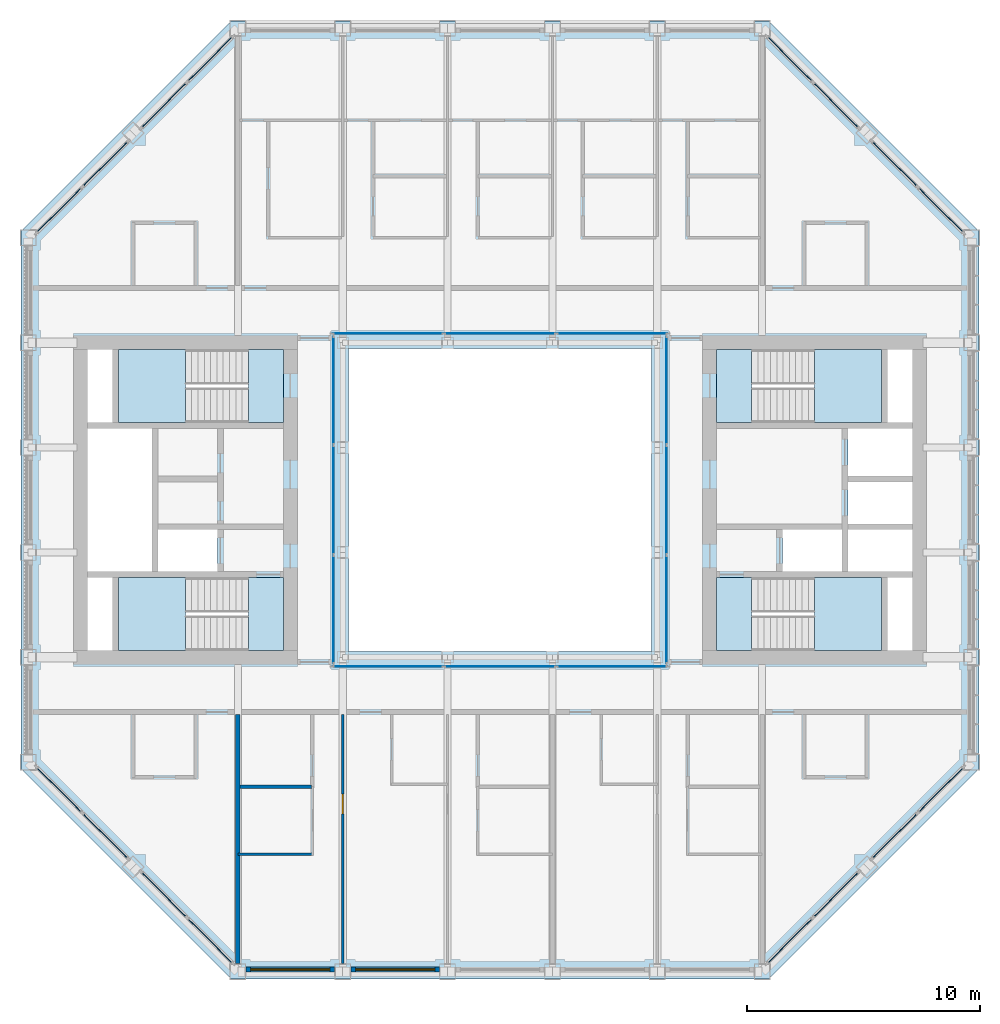
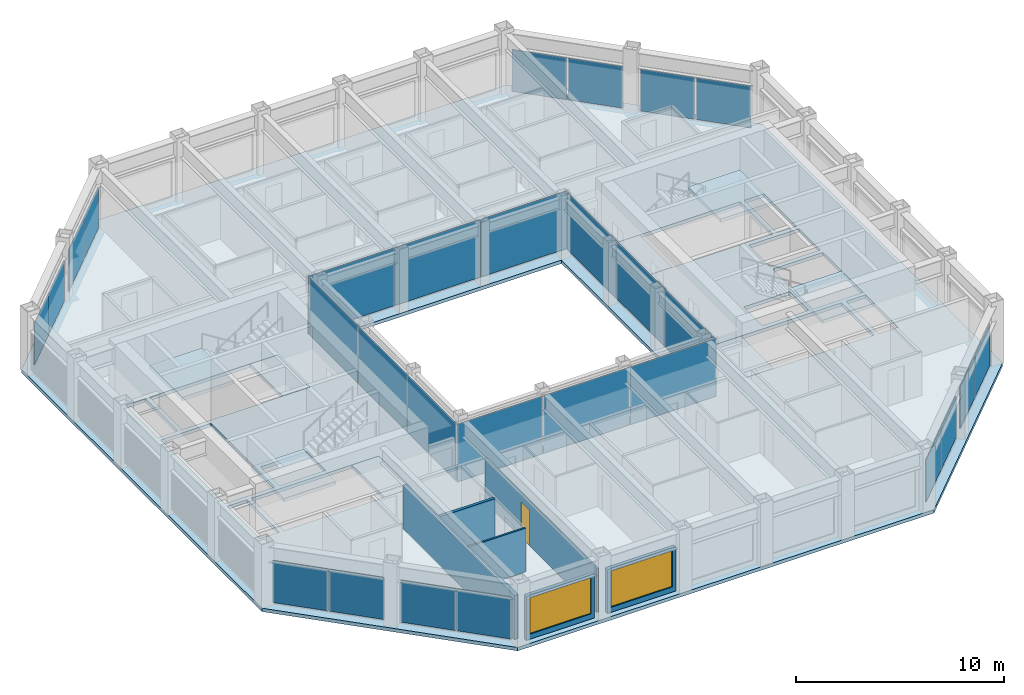
# One storey, part 8 of 17: 28 plates, 9 slabs, 6 walls, 2 windows, 1 door, 3 openings, 16 elements without a shape of their own.
"""IFC4 building model written with IfcOpenShell, lengths in metres."""

from ifc_helpers import new_model, si_unit, direction, frame, frame_2d, origin, origin_2d, place, context, subcontext, project, spatial, polyline, rectangle, outline, extrude, material, layer, layer_set, type_object, element, fill, aggregate, save


model = new_model("IFC4")

# Units and contexts
model_context = context("Model", 3, precision=1e-05, world=origin(), true_north=direction((0.0, 1.0)))
body_context = subcontext(model_context, "Body", "Model", "MODEL_VIEW")
ifc_project = project(units=[si_unit("LENGTHUNIT", "METRE"), si_unit("AREAUNIT", "SQUARE_METRE"), si_unit("VOLUMEUNIT", "CUBIC_METRE"), si_unit("PLANEANGLEUNIT", "RADIAN"), si_unit("MASSUNIT", "GRAM", prefix="KILO")], contexts=[model_context])

# Site, building, storey
site_placement = place(None, origin())
site = spatial("IfcSite", under=ifc_project, at=site_placement, CompositionType="ELEMENT")
building_placement = place(site_placement, origin())
building = spatial("IfcBuilding", under=site, at=building_placement, Name="Msasa Ring Tower", CompositionType="ELEMENT")
storey_placement = place(building_placement, frame((0.0, 0.0, 253.300048828125)))
storey = spatial("IfcBuildingStorey", under=building, at=storey_placement, Name="L66", CompositionType="ELEMENT", Elevation=253.300048828125)

# Curtain wall, plates
ifc_material_1 = material(Name="Aluminium curtain wall with clear glass", Category="aluminium")
curtain_wall_type_1 = type_object("IfcCurtainWallType", Name="CW-C CHAMFER CORNER CURTAIN WALL", PredefinedType="NOTDEFINED", material=ifc_material_1)
curtain_wall_1_placement = place(storey_placement, origin())
curtain_wall_1 = element("IfcCurtainWall", 1, at=curtain_wall_1_placement, inside=storey, type_object=curtain_wall_type_1, Name="Chamfer corner curtain wall SE L66", PredefinedType="NOTDEFINED")
ifc_material_2 = material(Name="Clear laminated insulating glass unit", Category="glass")
ifc_layer_1 = layer(ifc_material_2, 0.031982421875)
ifc_layer_set_1 = layer_set([ifc_layer_1], Name="CW-C GLASS PANEL 32")
plate_type_1 = type_object("IfcPlateType", Name="CW-C GLASS PANEL 32", PredefinedType="CURTAIN_PANEL", material=ifc_layer_set_1)
plate_1_placement = place(storey_placement, frame((12.44140625, -18.917236328125, 0.06494140625), z_axis=(0.0, 0.0, 1.0), x_axis=(0.707106781187, 0.707106781187, 0.0)))
plate_1 = element("IfcPlate", 2, at=plate_1_placement, type_object=plate_type_1, Name="CW-C panel 1.1", PredefinedType="CURTAIN_PANEL", context=body_context, shape_type="SweptSolid", body=[
    extrude(rectangle(XDim=2.7294921875, YDim=0.031982421875, at=origin_2d()), origin(), (0.0, 0.0, 1.0), 2.448974609375),
])
plate_2_placement = place(storey_placement, frame((14.417236328125, -16.94140625, 0.06494140625), z_axis=(0.0, 0.0, 1.0), x_axis=(0.707106781187, 0.707106781187, 0.0)))
plate_2 = element("IfcPlate", 3, at=plate_2_placement, type_object=plate_type_1, Name="CW-C panel 2.1", PredefinedType="CURTAIN_PANEL", context=body_context, shape_type="SweptSolid", body=[
    extrude(rectangle(XDim=2.7294921875, YDim=0.031982421875, at=origin_2d()), origin(), (0.0, 0.0, 1.0), 2.448974609375),
])
aggregate(curtain_wall_1, [plate_1, plate_2])

curtain_wall_2_placement = place(storey_placement, origin())
curtain_wall_2 = element("IfcCurtainWall", 4, at=curtain_wall_2_placement, inside=storey, type_object=curtain_wall_type_1, Name="Chamfer corner curtain wall SE L66", PredefinedType="NOTDEFINED")
plate_3_placement = place(storey_placement, frame((16.94140625, -14.417236328125, 0.06494140625), z_axis=(0.0, 0.0, 1.0), x_axis=(0.707106781187, 0.707106781187, 0.0)))
plate_3 = element("IfcPlate", 5, at=plate_3_placement, type_object=plate_type_1, Name="CW-C panel 1.1", PredefinedType="CURTAIN_PANEL", context=body_context, shape_type="SweptSolid", body=[
    extrude(rectangle(XDim=2.7294921875, YDim=0.031982421875, at=origin_2d()), origin(), (0.0, 0.0, 1.0), 2.448974609375),
])
plate_4_placement = place(storey_placement, frame((18.917236328125, -12.44140625, 0.06494140625), z_axis=(0.0, 0.0, 1.0), x_axis=(0.707106781187, 0.707106781187, 0.0)))
plate_4 = element("IfcPlate", 6, at=plate_4_placement, type_object=plate_type_1, Name="CW-C panel 2.1", PredefinedType="CURTAIN_PANEL", context=body_context, shape_type="SweptSolid", body=[
    extrude(rectangle(XDim=2.7294921875, YDim=0.031982421875, at=origin_2d()), origin(), (0.0, 0.0, 1.0), 2.448974609375),
])
aggregate(curtain_wall_2, [plate_3, plate_4])

curtain_wall_3_placement = place(storey_placement, origin())
curtain_wall_3 = element("IfcCurtainWall", 7, at=curtain_wall_3_placement, inside=storey, type_object=curtain_wall_type_1, Name="Chamfer corner curtain wall NE L66", PredefinedType="NOTDEFINED")
plate_5_placement = place(storey_placement, frame((14.417236328125, 16.94140625, 0.06494140625), z_axis=(0.0, 0.0, 1.0), x_axis=(-0.707106781187, 0.707106781187, 0.0)))
plate_5 = element("IfcPlate", 8, at=plate_5_placement, type_object=plate_type_1, Name="CW-C panel 1.1", PredefinedType="CURTAIN_PANEL", context=body_context, shape_type="SweptSolid", body=[
    extrude(rectangle(XDim=2.7294921875, YDim=0.031982421875, at=origin_2d()), origin(), (0.0, 0.0, 1.0), 2.448974609375),
])
plate_6_placement = place(storey_placement, frame((12.44140625, 18.917236328125, 0.06494140625), z_axis=(0.0, 0.0, 1.0), x_axis=(-0.707106781187, 0.707106781187, 0.0)))
plate_6 = element("IfcPlate", 9, at=plate_6_placement, type_object=plate_type_1, Name="CW-C panel 2.1", PredefinedType="CURTAIN_PANEL", context=body_context, shape_type="SweptSolid", body=[
    extrude(rectangle(XDim=2.7294921875, YDim=0.031982421875, at=origin_2d()), origin(), (0.0, 0.0, 1.0), 2.448974609375),
])
aggregate(curtain_wall_3, [plate_5, plate_6])

curtain_wall_4_placement = place(storey_placement, origin())
curtain_wall_4 = element("IfcCurtainWall", 10, at=curtain_wall_4_placement, inside=storey, type_object=curtain_wall_type_1, Name="Chamfer corner curtain wall NE L66", PredefinedType="NOTDEFINED")
plate_7_placement = place(storey_placement, frame((18.917236328125, 12.44140625, 0.06494140625), z_axis=(0.0, 0.0, 1.0), x_axis=(-0.707106781187, 0.707106781187, 0.0)))
plate_7 = element("IfcPlate", 11, at=plate_7_placement, type_object=plate_type_1, Name="CW-C panel 1.1", PredefinedType="CURTAIN_PANEL", context=body_context, shape_type="SweptSolid", body=[
    extrude(rectangle(XDim=2.7294921875, YDim=0.031982421875, at=origin_2d()), origin(), (0.0, 0.0, 1.0), 2.448974609375),
])
plate_8_placement = place(storey_placement, frame((16.94140625, 14.417236328125, 0.06494140625), z_axis=(0.0, 0.0, 1.0), x_axis=(-0.707106781187, 0.707106781187, 0.0)))
plate_8 = element("IfcPlate", 12, at=plate_8_placement, type_object=plate_type_1, Name="CW-C panel 2.1", PredefinedType="CURTAIN_PANEL", context=body_context, shape_type="SweptSolid", body=[
    extrude(rectangle(XDim=2.7294921875, YDim=0.031982421875, at=origin_2d()), origin(), (0.0, 0.0, 1.0), 2.448974609375),
])
aggregate(curtain_wall_4, [plate_7, plate_8])

curtain_wall_5_placement = place(storey_placement, origin())
curtain_wall_5 = element("IfcCurtainWall", 13, at=curtain_wall_5_placement, inside=storey, type_object=curtain_wall_type_1, Name="Chamfer corner curtain wall NW L66", PredefinedType="NOTDEFINED")
plate_9_placement = place(storey_placement, frame((-16.94140625, 14.417236328125, 0.06494140625), z_axis=(0.0, 0.0, 1.0), x_axis=(-0.707106781187, -0.707106781187, 0.0)))
plate_9 = element("IfcPlate", 14, at=plate_9_placement, type_object=plate_type_1, Name="CW-C panel 1.1", PredefinedType="CURTAIN_PANEL", context=body_context, shape_type="SweptSolid", body=[
    extrude(rectangle(XDim=2.7294921875, YDim=0.031982421875, at=origin_2d()), origin(), (0.0, 0.0, 1.0), 2.448974609375),
])
plate_10_placement = place(storey_placement, frame((-18.917236328125, 12.44140625, 0.06494140625), z_axis=(0.0, 0.0, 1.0), x_axis=(-0.707106781187, -0.707106781187, 0.0)))
plate_10 = element("IfcPlate", 15, at=plate_10_placement, type_object=plate_type_1, Name="CW-C panel 2.1", PredefinedType="CURTAIN_PANEL", context=body_context, shape_type="SweptSolid", body=[
    extrude(rectangle(XDim=2.7294921875, YDim=0.031982421875, at=origin_2d()), origin(), (0.0, 0.0, 1.0), 2.448974609375),
])
aggregate(curtain_wall_5, [plate_9, plate_10])

curtain_wall_6_placement = place(storey_placement, origin())
curtain_wall_6 = element("IfcCurtainWall", 16, at=curtain_wall_6_placement, inside=storey, type_object=curtain_wall_type_1, Name="Chamfer corner curtain wall NW L66", PredefinedType="NOTDEFINED")
plate_11_placement = place(storey_placement, frame((-12.44140625, 18.917236328125, 0.06494140625), z_axis=(0.0, 0.0, 1.0), x_axis=(-0.707106781187, -0.707106781187, 0.0)))
plate_11 = element("IfcPlate", 17, at=plate_11_placement, type_object=plate_type_1, Name="CW-C panel 1.1", PredefinedType="CURTAIN_PANEL", context=body_context, shape_type="SweptSolid", body=[
    extrude(rectangle(XDim=2.7294921875, YDim=0.031982421875, at=origin_2d()), origin(), (0.0, 0.0, 1.0), 2.448974609375),
])
plate_12_placement = place(storey_placement, frame((-14.417236328125, 16.94140625, 0.06494140625), z_axis=(0.0, 0.0, 1.0), x_axis=(-0.707106781187, -0.707106781187, 0.0)))
plate_12 = element("IfcPlate", 18, at=plate_12_placement, type_object=plate_type_1, Name="CW-C panel 2.1", PredefinedType="CURTAIN_PANEL", context=body_context, shape_type="SweptSolid", body=[
    extrude(rectangle(XDim=2.7294921875, YDim=0.031982421875, at=origin_2d()), origin(), (0.0, 0.0, 1.0), 2.448974609375),
])
aggregate(curtain_wall_6, [plate_11, plate_12])

curtain_wall_7_placement = place(storey_placement, origin())
curtain_wall_7 = element("IfcCurtainWall", 19, at=curtain_wall_7_placement, inside=storey, type_object=curtain_wall_type_1, Name="Chamfer corner curtain wall SW L66", PredefinedType="NOTDEFINED")
plate_13_placement = place(storey_placement, frame((-18.917236328125, -12.44140625, 0.06494140625), z_axis=(0.0, 0.0, 1.0), x_axis=(0.707106781187, -0.707106781187, 0.0)))
plate_13 = element("IfcPlate", 20, at=plate_13_placement, type_object=plate_type_1, Name="CW-C panel 1.1", PredefinedType="CURTAIN_PANEL", context=body_context, shape_type="SweptSolid", body=[
    extrude(rectangle(XDim=2.7294921875, YDim=0.031982421875, at=origin_2d()), origin(), (0.0, 0.0, 1.0), 2.448974609375),
])
plate_14_placement = place(storey_placement, frame((-16.94140625, -14.417236328125, 0.06494140625), z_axis=(0.0, 0.0, 1.0), x_axis=(0.707106781187, -0.707106781187, 0.0)))
plate_14 = element("IfcPlate", 21, at=plate_14_placement, type_object=plate_type_1, Name="CW-C panel 2.1", PredefinedType="CURTAIN_PANEL", context=body_context, shape_type="SweptSolid", body=[
    extrude(rectangle(XDim=2.7294921875, YDim=0.031982421875, at=origin_2d()), origin(), (0.0, 0.0, 1.0), 2.448974609375),
])
aggregate(curtain_wall_7, [plate_13, plate_14])

curtain_wall_8_placement = place(storey_placement, origin())
curtain_wall_8 = element("IfcCurtainWall", 22, at=curtain_wall_8_placement, inside=storey, type_object=curtain_wall_type_1, Name="Chamfer corner curtain wall SW L66", PredefinedType="NOTDEFINED")
plate_15_placement = place(storey_placement, frame((-14.417236328125, -16.94140625, 0.06494140625), z_axis=(0.0, 0.0, 1.0), x_axis=(0.707106781187, -0.707106781187, 0.0)))
plate_15 = element("IfcPlate", 23, at=plate_15_placement, type_object=plate_type_1, Name="CW-C panel 1.1", PredefinedType="CURTAIN_PANEL", context=body_context, shape_type="SweptSolid", body=[
    extrude(rectangle(XDim=2.7294921875, YDim=0.031982421875, at=origin_2d()), origin(), (0.0, 0.0, 1.0), 2.448974609375),
])
plate_16_placement = place(storey_placement, frame((-12.44140625, -18.917236328125, 0.06494140625), z_axis=(0.0, 0.0, 1.0), x_axis=(0.707106781187, -0.707106781187, 0.0)))
plate_16 = element("IfcPlate", 24, at=plate_16_placement, type_object=plate_type_1, Name="CW-C panel 2.1", PredefinedType="CURTAIN_PANEL", context=body_context, shape_type="SweptSolid", body=[
    extrude(rectangle(XDim=2.7294921875, YDim=0.031982421875, at=origin_2d()), origin(), (0.0, 0.0, 1.0), 2.448974609375),
])
aggregate(curtain_wall_8, [plate_15, plate_16])

ifc_material_3 = material(Name="Aluminium curtain wall with clear glass", Category="aluminium")
curtain_wall_type_2 = type_object("IfcCurtainWallType", Name="CW-W LIGHT WELL CURTAIN WALL", PredefinedType="NOTDEFINED", material=ifc_material_3)
curtain_wall_9_placement = place(storey_placement, origin())
curtain_wall_9 = element("IfcCurtainWall", 25, at=curtain_wall_9_placement, inside=storey, type_object=curtain_wall_type_2, Name="Light well curtain wall N L66", PredefinedType="NOTDEFINED")
ifc_material_4 = material(Name="Clear laminated insulating glass unit", Category="glass")
ifc_layer_2 = layer(ifc_material_4, 0.028076171875)
ifc_layer_set_2 = layer_set([ifc_layer_2], Name="CW-W GLASS PANEL 28")
plate_type_2 = type_object("IfcPlateType", Name="CW-W GLASS PANEL 28", PredefinedType="CURTAIN_PANEL", material=ifc_layer_set_2)
plate_17_placement = place(storey_placement, frame((-4.804931640625, 7.14990234375, 0.06005859375), z_axis=(0.0, 0.0, 1.0), x_axis=(1.0, 0.0, 0.0)))
plate_17 = element("IfcPlate", 26, at=plate_17_placement, type_object=plate_type_2, Name="CW-W panel 1.1", PredefinedType="CURTAIN_PANEL", context=body_context, shape_type="SweptSolid", body=[
    extrude(rectangle(XDim=4.72998046875, YDim=0.028076171875, at=origin_2d()), origin(), (0.0, 0.0, 1.0), 3.3798828125),
])
plate_18_placement = place(storey_placement, frame((0.0, 7.14990234375, 0.06005859375), z_axis=(0.0, 0.0, 1.0), x_axis=(1.0, 0.0, 0.0)))
plate_18 = element("IfcPlate", 27, at=plate_18_placement, type_object=plate_type_2, Name="CW-W panel 2.1", PredefinedType="CURTAIN_PANEL", context=body_context, shape_type="SweptSolid", body=[
    extrude(rectangle(XDim=4.760009765625, YDim=0.028076171875, at=origin_2d()), origin(), (0.0, 0.0, 1.0), 3.3798828125),
])
plate_19_placement = place(storey_placement, frame((4.804931640625, 7.14990234375, 0.06005859375), z_axis=(0.0, 0.0, 1.0), x_axis=(1.0, 0.0, 0.0)))
plate_19 = element("IfcPlate", 28, at=plate_19_placement, type_object=plate_type_2, Name="CW-W panel 3.1", PredefinedType="CURTAIN_PANEL", context=body_context, shape_type="SweptSolid", body=[
    extrude(rectangle(XDim=4.72998046875, YDim=0.028076171875, at=origin_2d()), origin(), (0.0, 0.0, 1.0), 3.3798828125),
])
aggregate(curtain_wall_9, [plate_17, plate_18, plate_19])

curtain_wall_10_placement = place(storey_placement, origin())
curtain_wall_10 = element("IfcCurtainWall", 29, at=curtain_wall_10_placement, inside=storey, type_object=curtain_wall_type_2, Name="Light well curtain wall S L66", PredefinedType="NOTDEFINED")
plate_20_placement = place(storey_placement, frame((-4.804931640625, -7.14990234375, 0.06005859375), z_axis=(0.0, 0.0, 1.0), x_axis=(1.0, 0.0, 0.0)))
plate_20 = element("IfcPlate", 30, at=plate_20_placement, type_object=plate_type_2, Name="CW-W panel 1.1", PredefinedType="CURTAIN_PANEL", context=body_context, shape_type="SweptSolid", body=[
    extrude(rectangle(XDim=4.72998046875, YDim=0.028076171875, at=origin_2d()), origin(), (0.0, 0.0, 1.0), 3.3798828125),
])
plate_21_placement = place(storey_placement, frame((0.0, -7.14990234375, 0.06005859375), z_axis=(0.0, 0.0, 1.0), x_axis=(1.0, 0.0, 0.0)))
plate_21 = element("IfcPlate", 31, at=plate_21_placement, type_object=plate_type_2, Name="CW-W panel 2.1", PredefinedType="CURTAIN_PANEL", context=body_context, shape_type="SweptSolid", body=[
    extrude(rectangle(XDim=4.760009765625, YDim=0.028076171875, at=origin_2d()), origin(), (0.0, 0.0, 1.0), 3.3798828125),
])
plate_22_placement = place(storey_placement, frame((4.804931640625, -7.14990234375, 0.06005859375), z_axis=(0.0, 0.0, 1.0), x_axis=(1.0, 0.0, 0.0)))
plate_22 = element("IfcPlate", 32, at=plate_22_placement, type_object=plate_type_2, Name="CW-W panel 3.1", PredefinedType="CURTAIN_PANEL", context=body_context, shape_type="SweptSolid", body=[
    extrude(rectangle(XDim=4.72998046875, YDim=0.028076171875, at=origin_2d()), origin(), (0.0, 0.0, 1.0), 3.3798828125),
])
aggregate(curtain_wall_10, [plate_20, plate_21, plate_22])

curtain_wall_11_placement = place(storey_placement, origin())
curtain_wall_11 = element("IfcCurtainWall", 33, at=curtain_wall_11_placement, inside=storey, type_object=curtain_wall_type_2, Name="Light well curtain wall E L66", PredefinedType="NOTDEFINED")
plate_23_placement = place(storey_placement, frame((7.14990234375, -4.6982421875, 0.06005859375), z_axis=(0.0, 0.0, 1.0), x_axis=(0.0, 1.0, 0.0)))
plate_23 = element("IfcPlate", 34, at=plate_23_placement, type_object=plate_type_2, Name="CW-W panel 1.1", PredefinedType="CURTAIN_PANEL", context=body_context, shape_type="SweptSolid", body=[
    extrude(rectangle(XDim=4.623291015625, YDim=0.028076171875, at=origin_2d()), origin(), (0.0, 0.0, 1.0), 3.3798828125),
])
plate_24_placement = place(storey_placement, frame((7.14990234375, 0.0, 0.06005859375), z_axis=(0.0, 0.0, 1.0), x_axis=(0.0, 1.0, 0.0)))
plate_24 = element("IfcPlate", 35, at=plate_24_placement, type_object=plate_type_2, Name="CW-W panel 2.1", PredefinedType="CURTAIN_PANEL", context=body_context, shape_type="SweptSolid", body=[
    extrude(rectangle(XDim=4.6533203125, YDim=0.028076171875, at=origin_2d()), origin(), (0.0, 0.0, 1.0), 3.3798828125),
])
plate_25_placement = place(storey_placement, frame((7.14990234375, 4.6982421875, 0.06005859375), z_axis=(0.0, 0.0, 1.0), x_axis=(0.0, 1.0, 0.0)))
plate_25 = element("IfcPlate", 36, at=plate_25_placement, type_object=plate_type_2, Name="CW-W panel 3.1", PredefinedType="CURTAIN_PANEL", context=body_context, shape_type="SweptSolid", body=[
    extrude(rectangle(XDim=4.623291015625, YDim=0.028076171875, at=origin_2d()), origin(), (0.0, 0.0, 1.0), 3.3798828125),
])
aggregate(curtain_wall_11, [plate_23, plate_24, plate_25])

curtain_wall_12_placement = place(storey_placement, origin())
curtain_wall_12 = element("IfcCurtainWall", 37, at=curtain_wall_12_placement, inside=storey, type_object=curtain_wall_type_2, Name="Light well curtain wall W L66", PredefinedType="NOTDEFINED")
plate_26_placement = place(storey_placement, frame((-7.14990234375, -4.6982421875, 0.06005859375), z_axis=(0.0, 0.0, 1.0), x_axis=(0.0, 1.0, 0.0)))
plate_26 = element("IfcPlate", 38, at=plate_26_placement, type_object=plate_type_2, Name="CW-W panel 1.1", PredefinedType="CURTAIN_PANEL", context=body_context, shape_type="SweptSolid", body=[
    extrude(rectangle(XDim=4.623291015625, YDim=0.028076171875, at=origin_2d()), origin(), (0.0, 0.0, 1.0), 3.3798828125),
])
plate_27_placement = place(storey_placement, frame((-7.14990234375, 0.0, 0.06005859375), z_axis=(0.0, 0.0, 1.0), x_axis=(0.0, 1.0, 0.0)))
plate_27 = element("IfcPlate", 39, at=plate_27_placement, type_object=plate_type_2, Name="CW-W panel 2.1", PredefinedType="CURTAIN_PANEL", context=body_context, shape_type="SweptSolid", body=[
    extrude(rectangle(XDim=4.6533203125, YDim=0.028076171875, at=origin_2d()), origin(), (0.0, 0.0, 1.0), 3.3798828125),
])
plate_28_placement = place(storey_placement, frame((-7.14990234375, 4.6982421875, 0.06005859375), z_axis=(0.0, 0.0, 1.0), x_axis=(0.0, 1.0, 0.0)))
plate_28 = element("IfcPlate", 40, at=plate_28_placement, type_object=plate_type_2, Name="CW-W panel 3.1", PredefinedType="CURTAIN_PANEL", context=body_context, shape_type="SweptSolid", body=[
    extrude(rectangle(XDim=4.623291015625, YDim=0.028076171875, at=origin_2d()), origin(), (0.0, 0.0, 1.0), 3.3798828125),
])
aggregate(curtain_wall_12, [plate_26, plate_27, plate_28])

# Stair, slabs
ifc_material_5 = material(Name="Concrete C40/50", Category="concrete")
stair_type = type_object("IfcStairType", Name="STC CORE STAIR 22 RISERS 170.5", PredefinedType="HALF_TURN_STAIR", material=ifc_material_5)
stair_1_placement = place(storey_placement, origin())
stair_1 = element("IfcStair", 41, at=stair_1_placement, inside=storey, type_object=stair_type, Name="Core stair SEA L66", PredefinedType="HALF_TURN_STAIR")
ifc_material_6 = material(Name="Concrete C40/50", Category="concrete")
ifc_layer_3 = layer(ifc_material_6, 0.199951171875)
ifc_layer_set_3 = layer_set([ifc_layer_3], Name="LD1 CORE STAIR LANDING 200")
slab_type_1 = type_object("IfcSlabType", Name="LD1 CORE STAIR LANDING 200", PredefinedType="LANDING", material=ifc_layer_set_3)
slab_1_placement = place(storey_placement, frame((0.0, 0.0, -0.199951171875)))
slab_1 = element("IfcSlab", 42, at=slab_1_placement, type_object=slab_type_1, Name="SEA landing 1", PredefinedType="LANDING", context=body_context, shape_type="SweptSolid", body=[
    extrude(outline(polyline([(9.300048828125, -6.449951171875), (10.800048828125, -6.449951171875), (10.800048828125, -3.324951171875), (9.300048828125, -3.324951171875), (9.300048828125, -6.449951171875)])), origin(), (0.0, 0.0, 1.0), 0.199951171875),
])
slab_2_placement = place(storey_placement, frame((0.0, 0.0, 1.675048828125)))
slab_2 = element("IfcSlab", 43, at=slab_2_placement, type_object=slab_type_1, Name="SEA landing 2", PredefinedType="LANDING", context=body_context, shape_type="SweptSolid", body=[
    extrude(outline(polyline([(13.5, -6.449951171875), (16.375, -6.449951171875), (16.375, -3.324951171875), (13.5, -3.324951171875), (13.5, -6.449951171875)])), origin(), (0.0, 0.0, 1.0), 0.199951171875),
])
aggregate(stair_1, [slab_1, slab_2])

stair_2_placement = place(storey_placement, origin())
stair_2 = element("IfcStair", 44, at=stair_2_placement, inside=storey, type_object=stair_type, Name="Core stair SEB L66", PredefinedType="HALF_TURN_STAIR")
slab_3_placement = place(storey_placement, frame((0.0, 0.0, -0.199951171875)))
slab_3 = element("IfcSlab", 45, at=slab_3_placement, type_object=slab_type_1, Name="SEB landing 1", PredefinedType="LANDING", context=body_context, shape_type="SweptSolid", body=[
    extrude(outline(polyline([(9.300048828125, 3.324951171875), (10.800048828125, 3.324951171875), (10.800048828125, 6.449951171875), (9.300048828125, 6.449951171875), (9.300048828125, 3.324951171875)])), origin(), (0.0, 0.0, 1.0), 0.199951171875),
])
slab_4_placement = place(storey_placement, frame((0.0, 0.0, 1.675048828125)))
slab_4 = element("IfcSlab", 46, at=slab_4_placement, type_object=slab_type_1, Name="SEB landing 2", PredefinedType="LANDING", context=body_context, shape_type="SweptSolid", body=[
    extrude(outline(polyline([(13.5, 3.324951171875), (16.375, 3.324951171875), (16.375, 6.449951171875), (13.5, 6.449951171875), (13.5, 3.324951171875)])), origin(), (0.0, 0.0, 1.0), 0.199951171875),
])
aggregate(stair_2, [slab_3, slab_4])

stair_3_placement = place(storey_placement, origin())
stair_3 = element("IfcStair", 47, at=stair_3_placement, inside=storey, type_object=stair_type, Name="Core stair SWA L66", PredefinedType="HALF_TURN_STAIR")
slab_5_placement = place(storey_placement, frame((0.0, 0.0, -0.199951171875)))
slab_5 = element("IfcSlab", 48, at=slab_5_placement, type_object=slab_type_1, Name="SWA landing 1", PredefinedType="LANDING", context=body_context, shape_type="SweptSolid", body=[
    extrude(outline(polyline([(-10.800048828125, -6.449951171875), (-9.300048828125, -6.449951171875), (-9.300048828125, -3.324951171875), (-10.800048828125, -3.324951171875), (-10.800048828125, -6.449951171875)])), origin(), (0.0, 0.0, 1.0), 0.199951171875),
])
slab_6_placement = place(storey_placement, frame((0.0, 0.0, 1.675048828125)))
slab_6 = element("IfcSlab", 49, at=slab_6_placement, type_object=slab_type_1, Name="SWA landing 2", PredefinedType="LANDING", context=body_context, shape_type="SweptSolid", body=[
    extrude(outline(polyline([(-16.375, -6.449951171875), (-13.5, -6.449951171875), (-13.5, -3.324951171875), (-16.375, -3.324951171875), (-16.375, -6.449951171875)])), origin(), (0.0, 0.0, 1.0), 0.199951171875),
])
aggregate(stair_3, [slab_5, slab_6])

stair_4_placement = place(storey_placement, origin())
stair_4 = element("IfcStair", 50, at=stair_4_placement, inside=storey, type_object=stair_type, Name="Core stair SWB L66", PredefinedType="HALF_TURN_STAIR")
slab_7_placement = place(storey_placement, frame((0.0, 0.0, -0.199951171875)))
slab_7 = element("IfcSlab", 51, at=slab_7_placement, type_object=slab_type_1, Name="SWB landing 1", PredefinedType="LANDING", context=body_context, shape_type="SweptSolid", body=[
    extrude(outline(polyline([(-10.800048828125, 3.324951171875), (-9.300048828125, 3.324951171875), (-9.300048828125, 6.449951171875), (-10.800048828125, 6.449951171875), (-10.800048828125, 3.324951171875)])), origin(), (0.0, 0.0, 1.0), 0.199951171875),
])
slab_8_placement = place(storey_placement, frame((0.0, 0.0, 1.675048828125)))
slab_8 = element("IfcSlab", 52, at=slab_8_placement, type_object=slab_type_1, Name="SWB landing 2", PredefinedType="LANDING", context=body_context, shape_type="SweptSolid", body=[
    extrude(outline(polyline([(-16.375, 3.324951171875), (-13.5, 3.324951171875), (-13.5, 6.449951171875), (-16.375, 6.449951171875), (-16.375, 3.324951171875)])), origin(), (0.0, 0.0, 1.0), 0.199951171875),
])
aggregate(stair_4, [slab_7, slab_8])

# Slab
ifc_material_7 = material(Name="Concrete C40/50", Category="concrete")
ifc_layer_4 = layer(ifc_material_7, 0.199951171875)
ifc_layer_set_4 = layer_set([ifc_layer_4], Name="S8 SUITE FLOOR 200")
slab_type_2 = type_object("IfcSlabType", Name="S8 SUITE FLOOR 200", PredefinedType="FLOOR", material=ifc_layer_set_4)
slab_9_placement = place(storey_placement, frame((0.0, 0.0, -0.199951171875)))
element("IfcSlab", 53, at=slab_9_placement, inside=storey, type_object=slab_type_2, Name="Floor slab L66", PredefinedType="FLOOR", context=body_context, shape_type="SweptSolid", body=[
    extrude(outline(polyline([(-11.550048828125, -20.550048828125), (11.550048828125, -20.550048828125), (20.550048828125, -11.550048828125), (20.550048828125, 11.550048828125), (11.550048828125, 20.550048828125), (-11.550048828125, 20.550048828125), (-20.550048828125, 11.550048828125), (-20.550048828125, -11.550048828125), (-11.550048828125, -20.550048828125)]), holes=[polyline([(-6.5, -6.5), (6.5, -6.5), (6.5, 6.5), (-6.5, 6.5), (-6.5, -6.5)]), polyline([(9.300048828125, -6.449951171875), (16.375, -6.449951171875), (16.375, -3.324951171875), (9.300048828125, -3.324951171875), (9.300048828125, -6.449951171875)]), polyline([(9.300048828125, 3.324951171875), (16.375, 3.324951171875), (16.375, 6.449951171875), (9.300048828125, 6.449951171875), (9.300048828125, 3.324951171875)]), polyline([(12.125, -3.074951171875), (14.675048828125, -3.074951171875), (14.675048828125, -1.27490234375), (12.125, -1.27490234375), (12.125, -3.074951171875)]), polyline([(16.625, -6.449951171875), (17.699951171875, -6.449951171875), (17.699951171875, -3.324951171875), (16.625, -3.324951171875), (16.625, -6.449951171875)]), polyline([(16.625, 3.324951171875), (17.699951171875, 3.324951171875), (17.699951171875, 6.449951171875), (16.625, 6.449951171875), (16.625, 3.324951171875)]), polyline([(14.925048828125, -3.074951171875), (17.699951171875, -3.074951171875), (17.699951171875, -1.27490234375), (14.925048828125, -1.27490234375), (14.925048828125, -3.074951171875)]), polyline([(14.925048828125, -1.02490234375), (17.699951171875, -1.02490234375), (17.699951171875, 0.77490234375), (14.925048828125, 0.77490234375), (14.925048828125, -1.02490234375)]), polyline([(14.925048828125, 1.02490234375), (17.699951171875, 1.02490234375), (17.699951171875, 3.074951171875), (14.925048828125, 3.074951171875), (14.925048828125, 1.02490234375)]), polyline([(-16.375, -6.449951171875), (-9.300048828125, -6.449951171875), (-9.300048828125, -3.324951171875), (-16.375, -3.324951171875), (-16.375, -6.449951171875)]), polyline([(-16.375, 3.324951171875), (-9.300048828125, 3.324951171875), (-9.300048828125, 6.449951171875), (-16.375, 6.449951171875), (-16.375, 3.324951171875)]), polyline([(-14.675048828125, -3.074951171875), (-12.125, -3.074951171875), (-12.125, -1.27490234375), (-14.675048828125, -1.27490234375), (-14.675048828125, -3.074951171875)]), polyline([(-17.699951171875, -6.449951171875), (-16.625, -6.449951171875), (-16.625, -3.324951171875), (-17.699951171875, -3.324951171875), (-17.699951171875, -6.449951171875)]), polyline([(-17.699951171875, 3.324951171875), (-16.625, 3.324951171875), (-16.625, 6.449951171875), (-17.699951171875, 6.449951171875), (-17.699951171875, 3.324951171875)]), polyline([(-17.699951171875, -3.074951171875), (-14.925048828125, -3.074951171875), (-14.925048828125, 3.074951171875), (-17.699951171875, 3.074951171875), (-17.699951171875, -3.074951171875)])]), origin(), (0.0, 0.0, 1.0), 0.199951171875),
])

# Wall, opening, window
ifc_material_8 = material(Name="Terracotta rainscreen on blockwork", Category="masonry")
ifc_layer_5 = layer(ifc_material_8, 0.199951171875)
ifc_layer_set_5 = layer_set([ifc_layer_5], Name="FW1 TERRACOTTA-LINED INFILL BAY WALL 200")
wall_type_1 = type_object("IfcWallType", Name="FW1 TERRACOTTA-LINED INFILL BAY WALL 200", PredefinedType="SOLIDWALL", material=ifc_layer_set_5)
wall_1_placement = place(storey_placement, frame((-10.89501953125, -20.14990234375, 0.0), z_axis=(0.0, 0.0, 1.0), x_axis=(1.0, 0.0, 0.0)))
wall_1 = element("IfcWall", 54, at=wall_1_placement, inside=storey, type_object=wall_type_1, Name="Infill bay wall S L66 00", PredefinedType="SOLIDWALL", context=body_context, shape_type="SweptSolid", body=[
    extrude(rectangle(XDim=3.7900390625, YDim=0.199951171875, at=frame_2d((1.89501953125, 0.0))), origin(), (0.0, 0.0, 1.0), 2.578857421875),
])
opening_1_placement = place(wall_1_placement, frame((0.195068359375, 0.0, 0.300048828125)))
opening_1 = element("IfcOpeningElement", 55, at=opening_1_placement, cuts=wall_1, Name="Opening WN8", PredefinedType="OPENING", context=body_context, shape_type="SweptSolid", body=[
    extrude(rectangle(XDim=3.39990234375, YDim=2.12890625, at=frame_2d((1.699951171875, 1.064453125))), frame((0.0, 0.10986328125, 0.0), z_axis=(0.0, -1.0, 0.0), x_axis=(1.0, 0.0, 0.0)), (0.0, 0.0, 1.0), 0.219970703125),
])
ifc_material_9 = material(Name="Aluminium frame with clear glass", Category="aluminium")
window_type = type_object("IfcWindowType", Name="WN8 SUITE WINDOW 3400x2129", PartitioningType="SINGLE_PANEL", PredefinedType="WINDOW", material=ifc_material_9)
window_1_placement = place(opening_1_placement, origin())
window_1 = element("IfcWindow", 56, at=window_1_placement, inside=storey, type_object=window_type, Name="Window S L66 00", OverallHeight=2.12890625, OverallWidth=3.39990234375, PartitioningType="SINGLE_PANEL", PredefinedType="WINDOW", context=body_context, shape_type="SweptSolid", body=[
    extrude(rectangle(XDim=3.39990234375, YDim=2.12890625, at=frame_2d((1.699951171875, 1.064453125))), frame((0.0, 0.030029296875, 0.0), z_axis=(0.0, -1.0, 0.0), x_axis=(1.0, 0.0, 0.0)), (0.0, 0.0, 1.0), 0.06005859375),
])
fill(opening_1, window_1)

wall_2_placement = place(storey_placement, frame((-6.39501953125, -20.14990234375, 0.0), z_axis=(0.0, 0.0, 1.0), x_axis=(1.0, 0.0, 0.0)))
wall_2 = element("IfcWall", 57, at=wall_2_placement, inside=storey, type_object=wall_type_1, Name="Infill bay wall S L66 01", PredefinedType="SOLIDWALL", context=body_context, shape_type="SweptSolid", body=[
    extrude(rectangle(XDim=3.7900390625, YDim=0.199951171875, at=frame_2d((1.89501953125, 0.0))), origin(), (0.0, 0.0, 1.0), 2.578857421875),
])
opening_2_placement = place(wall_2_placement, frame((0.195068359375, 0.0, 0.300048828125)))
opening_2 = element("IfcOpeningElement", 58, at=opening_2_placement, cuts=wall_2, Name="Opening WN8", PredefinedType="OPENING", context=body_context, shape_type="SweptSolid", body=[
    extrude(rectangle(XDim=3.39990234375, YDim=2.12890625, at=frame_2d((1.699951171875, 1.064453125))), frame((0.0, 0.10986328125, 0.0), z_axis=(0.0, -1.0, 0.0), x_axis=(1.0, 0.0, 0.0)), (0.0, 0.0, 1.0), 0.219970703125),
])
window_2_placement = place(opening_2_placement, origin())
window_2 = element("IfcWindow", 59, at=window_2_placement, inside=storey, type_object=window_type, Name="Window S L66 01", OverallHeight=2.12890625, OverallWidth=3.39990234375, PartitioningType="SINGLE_PANEL", PredefinedType="WINDOW", context=body_context, shape_type="SweptSolid", body=[
    extrude(rectangle(XDim=3.39990234375, YDim=2.12890625, at=frame_2d((1.699951171875, 1.064453125))), frame((0.0, 0.030029296875, 0.0), z_axis=(0.0, -1.0, 0.0), x_axis=(1.0, 0.0, 0.0)), (0.0, 0.0, 1.0), 0.06005859375),
])
fill(opening_2, window_2)

# Wall, opening, door
ifc_material_10 = material(Name="Gypsum board on steel studs", Category="steel")
ifc_layer_6 = layer(ifc_material_10, 0.10009765625)
ifc_layer_set_6 = layer_set([ifc_layer_6], Name="PT2 STUD PARTITION 100")
wall_type_2 = type_object("IfcWallType", Name="PT2 STUD PARTITION 100", PredefinedType="PARTITIONING", material=ifc_layer_set_6)
wall_3_placement = place(storey_placement, frame((-6.75, -19.89990234375, 0.0), z_axis=(0.0, 0.0, 1.0), x_axis=(0.0, 1.0, 0.0)))
wall_3 = element("IfcWall", 60, at=wall_3_placement, inside=storey, type_object=wall_type_2, Name="Partition L66-JS00P0", PredefinedType="PARTITIONING", context=body_context, shape_type="SweptSolid", body=[
    extrude(rectangle(XDim=10.699951171875, YDim=0.10009765625, at=frame_2d((5.35009765625, 0.0))), origin(), (0.0, 0.0, 1.0), 2.5732421875),
])
opening_3_placement = place(wall_3_placement, frame((6.425048828125, 0.0, 0.0)))
opening_3 = element("IfcOpeningElement", 61, at=opening_3_placement, cuts=wall_3, Name="Opening SE-045", PredefinedType="OPENING", context=body_context, shape_type="SweptSolid", body=[
    extrude(rectangle(XDim=0.85009765625, YDim=2.10009765625, at=frame_2d((0.425048828125, 1.050048828125))), frame((0.0, 0.06005859375, 0.0), z_axis=(0.0, -1.0, 0.0), x_axis=(1.0, 0.0, 0.0)), (0.0, 0.0, 1.0), 0.1201171875),
])
ifc_material_11 = material(Name="Timber door leaf in a steel frame", Category="steel")
door_type = type_object("IfcDoorType", Name="D14 BEDROOM DOOR 850x2100", OperationType="SINGLE_SWING_LEFT", PredefinedType="DOOR", material=ifc_material_11)
door_placement = place(opening_3_placement, origin())
door = element("IfcDoor", 62, at=door_placement, inside=storey, type_object=door_type, Name="Door L66-JS00R0", OperationType="SINGLE_SWING_RIGHT", OverallHeight=2.10009765625, OverallWidth=0.85009765625, PredefinedType="DOOR", context=body_context, shape_type="SweptSolid", body=[
    extrude(rectangle(XDim=0.85009765625, YDim=2.10009765625, at=frame_2d((0.425048828125, 1.050048828125))), frame((0.0, 0.02490234375, 0.0), z_axis=(0.0, -1.0, 0.0), x_axis=(1.0, 0.0, 0.0)), (0.0, 0.0, 1.0), 0.050048828125),
])
fill(opening_3, door)

# Walls
wall_4_placement = place(storey_placement, frame((-11.25, -15.199951171875, 0.0), z_axis=(0.0, 0.0, 1.0), x_axis=(1.0, 0.0, 0.0)))
element("IfcWall", 63, at=wall_4_placement, inside=storey, type_object=wall_type_2, Name="Partition L66-JS00DY0", PredefinedType="PARTITIONING", context=body_context, shape_type="SweptSolid", body=[
    extrude(rectangle(XDim=3.199951171875, YDim=0.10009765625, at=frame_2d((1.60009765625, 0.0))), origin(), (0.0, 0.0, 1.0), 2.5732421875),
])
ifc_material_12 = material(Name="Dense concrete blockwork, plastered both faces", Category="masonry")
ifc_layer_7 = layer(ifc_material_12, 0.25)
ifc_layer_set_7 = layer_set([ifc_layer_7], Name="PT3 APARTMENT SEPARATING WALL 250")
wall_type_3 = type_object("IfcWallType", Name="PT3 APARTMENT SEPARATING WALL 250", PredefinedType="PARTITIONING", material=ifc_layer_set_7)
wall_5_placement = place(storey_placement, frame((-11.25, -19.89990234375, 0.0), z_axis=(0.0, 0.0, 1.0), x_axis=(0.0, 1.0, 0.0)))
element("IfcWall", 64, at=wall_5_placement, inside=storey, type_object=wall_type_3, Name="Party wall L66-PWS-11.25", PredefinedType="PARTITIONING", context=body_context, shape_type="SweptSolid", body=[
    extrude(rectangle(XDim=10.699951171875, YDim=0.199951171875, at=frame_2d((5.35009765625, 0.0))), origin(), (0.0, 0.0, 1.0), 2.5732421875),
])
ifc_material_13 = material(Name="Moisture-resistant board on steel studs with a concealed cistern and pipe void, tiled", Category="steel")
ifc_layer_8 = layer(ifc_material_13, 0.14990234375)
ifc_layer_set_8 = layer_set([ifc_layer_8], Name="PT4 BATHROOM WET WALL 150")
wall_type_4 = type_object("IfcWallType", Name="PT4 BATHROOM WET WALL 150", PredefinedType="PARTITIONING", material=ifc_layer_set_8)
wall_6_placement = place(storey_placement, frame((-11.14990234375, -12.300048828125, 0.0), z_axis=(0.0, 0.0, 1.0), x_axis=(1.0, 0.0, 0.0)))
element("IfcWall", 65, at=wall_6_placement, inside=storey, type_object=wall_type_4, Name="Partition L66-JS00BY0", PredefinedType="PARTITIONING", context=body_context, shape_type="SweptSolid", body=[
    extrude(rectangle(XDim=3.0498046875, YDim=0.14990234375, at=frame_2d((1.52490234375, 0.0))), origin(), (0.0, 0.0, 1.0), 2.5732421875),
])

save(model, "model.ifc")
